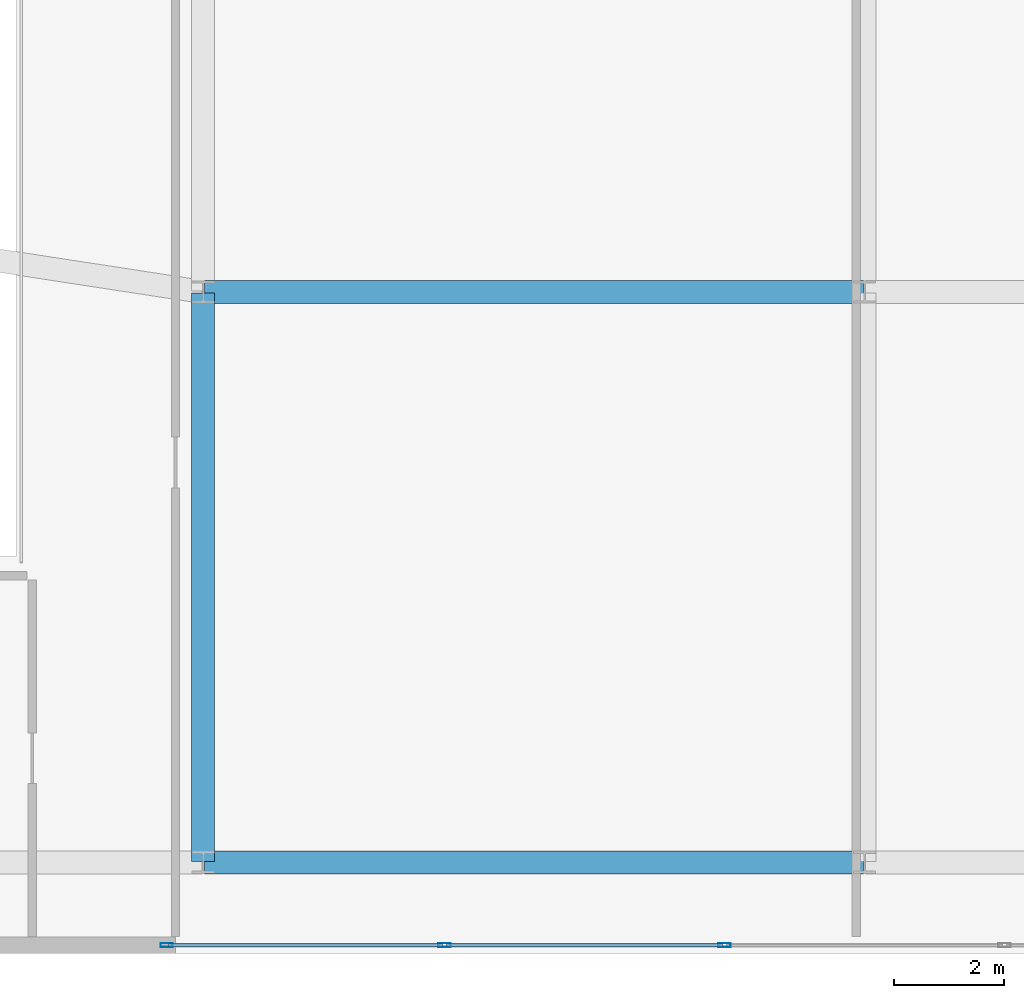
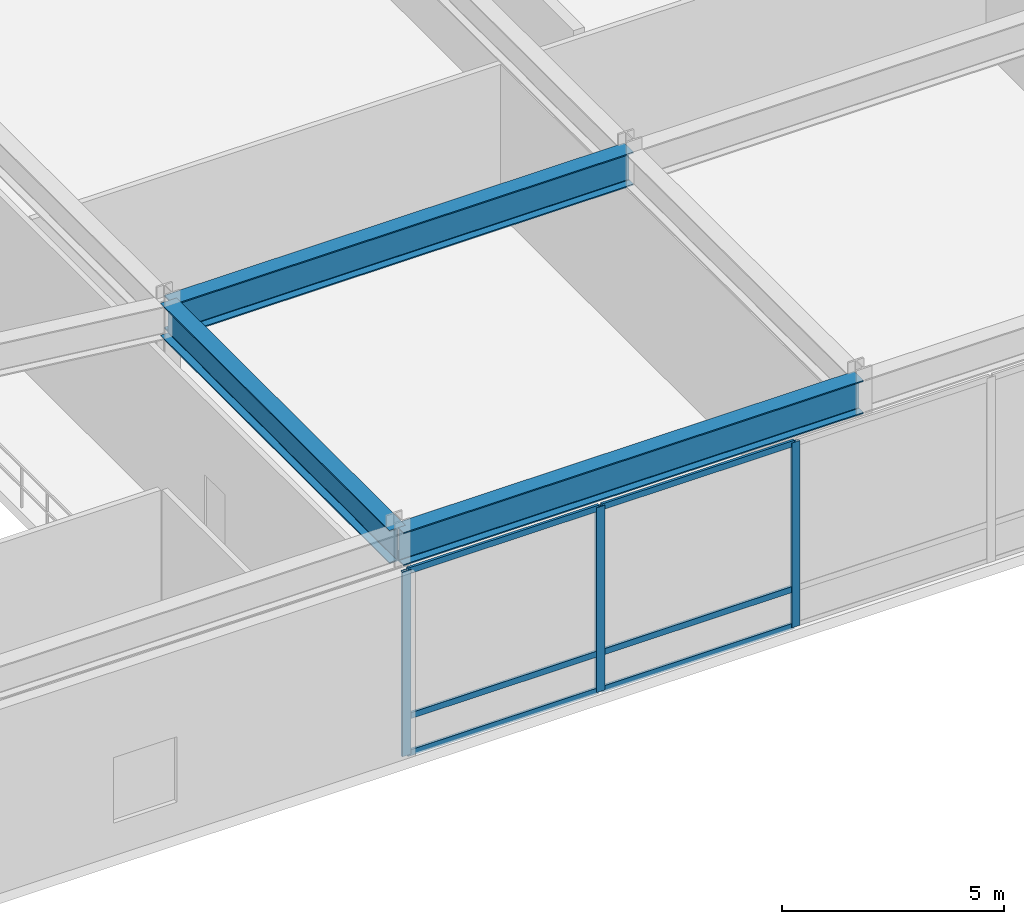
# One storey, part 4 of 13: 9 members, 3 beams, 1 element without a shape of its own.
"""IFC4 building model written with IfcOpenShell, lengths in metres."""

from ifc_helpers import new_model, si_unit, direction, frame, origin, origin_2d, place, context, subcontext, project, spatial, hollow_rectangle, i_section, extrude, source, transform, mapped, material, layer, layer_set, material_profile, profile_set, type_object, type_shapes, element, aggregate, save


model = new_model("IFC4")

# Units and contexts
model_context = context("Model", 3, precision=1e-05, world=origin(), true_north=direction((0.0, 1.0)))
body_context = subcontext(model_context, "Body", "Model", "MODEL_VIEW")
ifc_project = project(units=[si_unit("LENGTHUNIT", "METRE"), si_unit("AREAUNIT", "SQUARE_METRE"), si_unit("VOLUMEUNIT", "CUBIC_METRE"), si_unit("PLANEANGLEUNIT", "RADIAN"), si_unit("MASSUNIT", "GRAM", prefix="KILO")], contexts=[model_context])

# Site, building, storey
site_placement = place(None, origin())
site = spatial("IfcSite", under=ifc_project, at=site_placement, CompositionType="ELEMENT")
building_placement = place(site_placement, origin())
building = spatial("IfcBuilding", under=site, at=building_placement, Name="Varnel Quay Broadcast Tower", CompositionType="ELEMENT")
storey_placement = place(building_placement, frame((0.0, 0.0, 16.800048828125)))
storey = spatial("IfcBuildingStorey", under=building, at=storey_placement, Name="L03", CompositionType="ELEMENT", Elevation=16.800048828125)

# Beams
ifc_material_1 = material(Name="Structural Steel CSA G40.21 350W", Category="steel")
ifc_material_profile_1 = material_profile(ifc_material_1, i_section(OverallWidth=0.41796875, OverallDepth=0.912109375, WebThickness=0.019287109375, FlangeThickness=0.031982421875, FilletRadius=0.02197265625, at=origin_2d()), Name="W920X342")
ifc_profile_set_1 = profile_set([ifc_material_profile_1], Name="Structural Steel CSA G40.21 350W")
beam_type = type_object("IfcBeamType", Name="Girder_W920X342", PredefinedType="BEAM", material=ifc_profile_set_1)
shared_shape_1 = source(origin(), body_context, "Body", "SweptSolid", [
    extrude(i_section(OverallWidth=0.41796875, OverallDepth=0.912109375, WebThickness=0.019287109375, FlangeThickness=0.031982421875, FilletRadius=0.02197265625, at=origin_2d()), origin(), (0.0, 0.0, 1.0), 11.9599609375),
])
for number, where, z_axis, x_axis, name in (
    (1, (22.02001953125, 1.64990234375, 4.6240234375), (1.0, 0.0, 0.0), (0.0, 1.0, 0.0), "L03 Girder G-PS2"),
    (2, (22.02001953125, 12.0, 4.6240234375), (1.0, 0.0, 0.0), (0.0, 1.0, 0.0), "L03 Girder G-STC1A"),
):
    element("IfcBeam", number, at=place(storey_placement, frame(where, z_axis=z_axis, x_axis=x_axis)), inside=storey, type_object=beam_type, Name=name, PredefinedType="BEAM", context=body_context, shape_type="MappedRepresentation", body=[
        mapped(shared_shape_1, transform((0.0, 0.0, 0.0), x_axis=(1.0, 0.0, 0.0), y_axis=(0.0, 1.0, 0.0), z_axis=(0.0, 0.0, 1.0), scale=1.0)),
    ])
shared_shape_2 = source(origin(), body_context, "Body", "SweptSolid", [
    extrude(i_section(OverallWidth=0.41796875, OverallDepth=0.912109375, WebThickness=0.019287109375, FlangeThickness=0.031982421875, FilletRadius=0.02197265625, at=origin_2d()), origin(), (0.0, 0.0, 1.0), 10.31005859375),
])
type_shapes(beam_type, [shared_shape_1, shared_shape_2])
beam_placement = place(storey_placement, frame((22.0, 1.669921875, 4.6240234375), z_axis=(0.0, 1.0, 0.0), x_axis=(-1.0, 0.0, 0.0)))
element("IfcBeam", 3, at=beam_placement, inside=storey, type_object=beam_type, Name="L03 Girder G-M1", PredefinedType="BEAM", context=body_context, shape_type="MappedRepresentation", body=[
    mapped(shared_shape_2, transform((0.0, 0.0, 0.0), x_axis=(1.0, 0.0, 0.0), y_axis=(0.0, 1.0, 0.0), z_axis=(0.0, 0.0, 1.0), scale=1.0)),
])

# Curtain wall, members
ifc_material_2 = material(Name="Anodised Bronze Aluminium 6063-T6", Category="aluminium")
ifc_layer = layer(ifc_material_2, 0.18994140625, Name="Anodised Bronze Aluminium 6063-T6")
ifc_layer_set = layer_set([ifc_layer], Name="Anodised Bronze Aluminium 6063-T6")
curtain_wall_type = type_object("IfcCurtainWallType", Name="CW_PodiumForum", PredefinedType="NOTDEFINED", material=ifc_layer_set)
curtain_wall_placement = place(storey_placement, origin())
curtain_wall = element("IfcCurtainWall", 4, at=curtain_wall_placement, inside=storey, type_object=curtain_wall_type, Name="L03 Waterfront Forum Curtain Wall", PredefinedType="NOTDEFINED")
ifc_material_profile_2 = material_profile(ifc_material_2, hollow_rectangle(XDim=0.06494140625, YDim=0.1650390625, WallThickness=0.00341796875, at=origin_2d()), Name="ALU65X165X3.5")
ifc_profile_set_2 = profile_set([ifc_material_profile_2], Name="Anodised Bronze Aluminium 6063-T6")
member_type_1 = type_object("IfcMemberType", Name="Tran_CWS-01", PredefinedType="USERDEFINED", material=ifc_profile_set_2)
shared_shape_3 = source(origin(), body_context, "Body", "SweptSolid", [
    extrude(hollow_rectangle(XDim=0.06494140625, YDim=0.1650390625, WallThickness=0.00341796875, at=origin_2d()), origin(), (0.0, 0.0, 1.0), 4.967529296875),
])
member_1_placement = place(storey_placement, frame((21.375, 0.14990234375, 0.032470703125), z_axis=(1.0, 0.0, 0.0), x_axis=(0.0, 1.0, 0.0)))
member_1 = element("IfcMember", 5, at=member_1_placement, type_object=member_type_1, Name="CWS-01 transom 1.1", ObjectType="TRANSOM", PredefinedType="USERDEFINED", context=body_context, shape_type="MappedRepresentation", body=[
    mapped(shared_shape_3, transform((0.0, 0.0, 0.0), x_axis=(1.0, 0.0, 0.0), y_axis=(0.0, 1.0, 0.0), z_axis=(0.0, 0.0, 1.0), scale=1.0)),
])
member_2_placement = place(storey_placement, frame((21.375, 0.14990234375, 1.050048828125), z_axis=(1.0, 0.0, 0.0), x_axis=(0.0, 1.0, 0.0)))
member_2 = element("IfcMember", 6, at=member_2_placement, type_object=member_type_1, Name="CWS-01 transom 1.2", ObjectType="TRANSOM", PredefinedType="USERDEFINED", context=body_context, shape_type="MappedRepresentation", body=[
    mapped(shared_shape_3, transform((0.0, 0.0, 0.0), x_axis=(1.0, 0.0, 0.0), y_axis=(0.0, 1.0, 0.0), z_axis=(0.0, 0.0, 1.0), scale=1.0)),
])
member_3_placement = place(storey_placement, frame((21.375, 0.14990234375, 5.04736328125), z_axis=(1.0, 0.0, 0.0), x_axis=(0.0, 1.0, 0.0)))
member_3 = element("IfcMember", 7, at=member_3_placement, type_object=member_type_1, Name="CWS-01 transom 1.3", ObjectType="TRANSOM", PredefinedType="USERDEFINED", context=body_context, shape_type="MappedRepresentation", body=[
    mapped(shared_shape_3, transform((0.0, 0.0, 0.0), x_axis=(1.0, 0.0, 0.0), y_axis=(0.0, 1.0, 0.0), z_axis=(0.0, 0.0, 1.0), scale=1.0)),
])
shared_shape_4 = source(origin(), body_context, "Body", "SweptSolid", [
    extrude(hollow_rectangle(XDim=0.06494140625, YDim=0.1650390625, WallThickness=0.00341796875, at=origin_2d()), origin(), (0.0, 0.0, 1.0), 5.005126953125),
])
type_shapes(member_type_1, [shared_shape_3, shared_shape_4])
member_4_placement = place(storey_placement, frame((26.41748046875, 0.14990234375, 0.032470703125), z_axis=(1.0, 0.0, 0.0), x_axis=(0.0, 1.0, 0.0)))
member_4 = element("IfcMember", 8, at=member_4_placement, type_object=member_type_1, Name="CWS-01 transom 2.1", ObjectType="TRANSOM", PredefinedType="USERDEFINED", context=body_context, shape_type="MappedRepresentation", body=[
    mapped(shared_shape_4, transform((0.0, 0.0, 0.0), x_axis=(1.0, 0.0, 0.0), y_axis=(0.0, 1.0, 0.0), z_axis=(0.0, 0.0, 1.0), scale=1.0)),
])
member_5_placement = place(storey_placement, frame((26.41748046875, 0.14990234375, 1.050048828125), z_axis=(1.0, 0.0, 0.0), x_axis=(0.0, 1.0, 0.0)))
member_5 = element("IfcMember", 9, at=member_5_placement, type_object=member_type_1, Name="CWS-01 transom 2.2", ObjectType="TRANSOM", PredefinedType="USERDEFINED", context=body_context, shape_type="MappedRepresentation", body=[
    mapped(shared_shape_4, transform((0.0, 0.0, 0.0), x_axis=(1.0, 0.0, 0.0), y_axis=(0.0, 1.0, 0.0), z_axis=(0.0, 0.0, 1.0), scale=1.0)),
])
member_6_placement = place(storey_placement, frame((26.41748046875, 0.14990234375, 5.04736328125), z_axis=(1.0, 0.0, 0.0), x_axis=(0.0, 1.0, 0.0)))
member_6 = element("IfcMember", 10, at=member_6_placement, type_object=member_type_1, Name="CWS-01 transom 2.3", ObjectType="TRANSOM", PredefinedType="USERDEFINED", context=body_context, shape_type="MappedRepresentation", body=[
    mapped(shared_shape_4, transform((0.0, 0.0, 0.0), x_axis=(1.0, 0.0, 0.0), y_axis=(0.0, 1.0, 0.0), z_axis=(0.0, 0.0, 1.0), scale=1.0)),
])
ifc_material_profile_3 = material_profile(ifc_material_2, hollow_rectangle(XDim=0.074951171875, YDim=0.219970703125, WallThickness=0.00390625, at=origin_2d()), Name="ALU75X220X4")
ifc_profile_set_3 = profile_set([ifc_material_profile_3], Name="Anodised Bronze Aluminium 6063-T6")
member_type_2 = type_object("IfcMemberType", Name="Mull_CWS-01", PredefinedType="MULLION", material=ifc_profile_set_3)
shared_shape_5 = source(origin(), body_context, "Body", "SweptSolid", [
    extrude(hollow_rectangle(XDim=0.074951171875, YDim=0.219970703125, WallThickness=0.00390625, at=origin_2d()), origin(), (0.0, 0.0, 1.0), 5.079833984375),
])
type_shapes(member_type_2, [shared_shape_5])
member_7_placement = place(storey_placement, frame((21.33740234375, 0.14990234375, 0.0), z_axis=(0.0, 0.0, 1.0), x_axis=(0.0, 1.0, 0.0)))
member_7 = element("IfcMember", 11, at=member_7_placement, type_object=member_type_2, Name="CWS-01 mullion 1", PredefinedType="MULLION", context=body_context, shape_type="MappedRepresentation", body=[
    mapped(shared_shape_5, transform((0.0, 0.0, 0.0), x_axis=(1.0, 0.0, 0.0), y_axis=(0.0, 1.0, 0.0), z_axis=(0.0, 0.0, 1.0), scale=1.0)),
])
member_8_placement = place(storey_placement, frame((26.3798828125, 0.14990234375, 0.0), z_axis=(0.0, 0.0, 1.0), x_axis=(0.0, 1.0, 0.0)))
member_8 = element("IfcMember", 12, at=member_8_placement, type_object=member_type_2, Name="CWS-01 mullion 2", PredefinedType="MULLION", context=body_context, shape_type="MappedRepresentation", body=[
    mapped(shared_shape_5, transform((0.0, 0.0, 0.0), x_axis=(1.0, 0.0, 0.0), y_axis=(0.0, 1.0, 0.0), z_axis=(0.0, 0.0, 1.0), scale=1.0)),
])
member_9_placement = place(storey_placement, frame((31.4599609375, 0.14990234375, 0.0), z_axis=(0.0, 0.0, 1.0), x_axis=(0.0, 1.0, 0.0)))
member_9 = element("IfcMember", 13, at=member_9_placement, type_object=member_type_2, Name="CWS-01 mullion 3", PredefinedType="MULLION", context=body_context, shape_type="MappedRepresentation", body=[
    mapped(shared_shape_5, transform((0.0, 0.0, 0.0), x_axis=(1.0, 0.0, 0.0), y_axis=(0.0, 1.0, 0.0), z_axis=(0.0, 0.0, 1.0), scale=1.0)),
])
aggregate(curtain_wall, [member_7, member_8, member_9, member_1, member_2, member_3, member_4, member_5, member_6])

save(model, "model.ifc")
